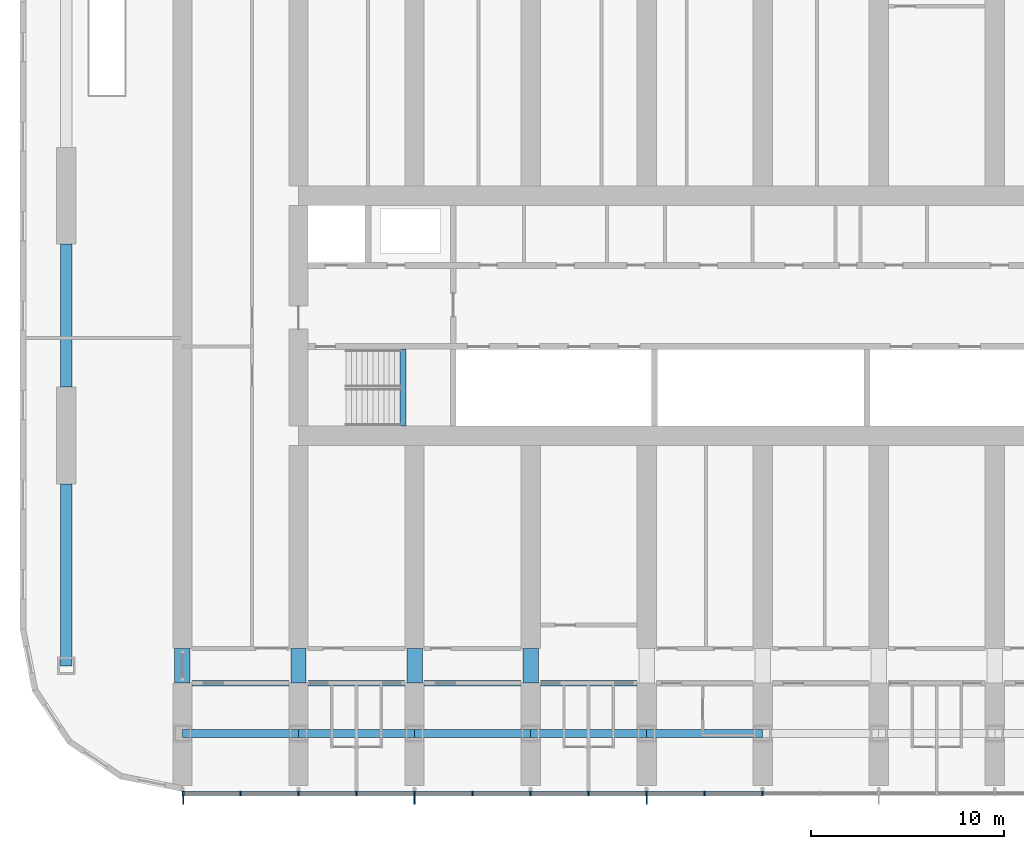
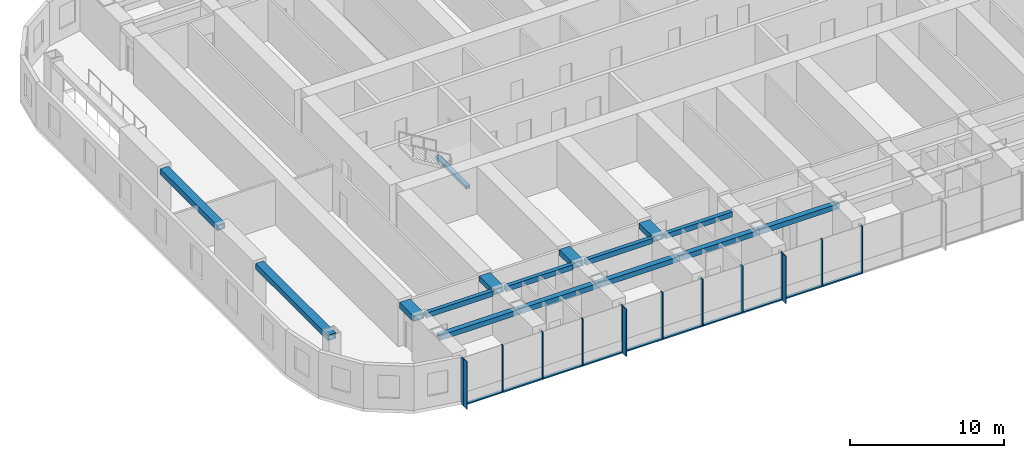
# One storey, part 2 of 22: 24 members, 16 beams, 1 element without a shape of its own.
"""IFC4 building model written with IfcOpenShell, lengths in metres."""

from ifc_helpers import new_model, si_unit, direction, frame, origin, origin_2d, place, context, subcontext, project, spatial, rectangle, hollow_rectangle, extrude, material, material_profile, profile_set, type_object, element, aggregate, save


model = new_model("IFC4")

# Units and contexts
model_context = context("Model", 3, precision=1e-05, world=origin(), true_north=direction((0.0, 1.0)))
body_context = subcontext(model_context, "Body", "Model", "MODEL_VIEW")
ifc_project = project(units=[si_unit("LENGTHUNIT", "METRE"), si_unit("AREAUNIT", "SQUARE_METRE"), si_unit("VOLUMEUNIT", "CUBIC_METRE"), si_unit("PLANEANGLEUNIT", "RADIAN"), si_unit("MASSUNIT", "GRAM", prefix="KILO")], contexts=[model_context])

# Site, building, storey
site_placement = place(None, origin())
site = spatial("IfcSite", under=ifc_project, at=site_placement, CompositionType="ELEMENT")
building_placement = place(site_placement, origin())
building = spatial("IfcBuilding", under=site, at=building_placement, Name="Orbita Commons", CompositionType="ELEMENT")
storey_placement = place(building_placement, frame((0.0, 0.0, 57.699951171875)))
storey = spatial("IfcBuildingStorey", under=building, at=storey_placement, Name="L14", CompositionType="ELEMENT", Elevation=57.699951171875)

# Curtain wall, members
ifc_material_1 = material(Name="Anodised aluminium frame, pale silver", Category="aluminium")
curtain_wall_type = type_object("IfcCurtainWallType", Name="Unitised curtain wall CW-T, vision and spandrel", PredefinedType="NOTDEFINED", material=ifc_material_1)
curtain_wall_placement = place(storey_placement, origin())
curtain_wall = element("IfcCurtainWall", 1, at=curtain_wall_placement, inside=storey, type_object=curtain_wall_type, Name="Curtain wall south L14", PredefinedType="NOTDEFINED")
ifc_material_2 = material(Name="Anodised aluminium, pale silver", Category="aluminium")
ifc_material_profile_1 = material_profile(ifc_material_2, rectangle(XDim=0.080078125, YDim=0.219970703125, at=origin_2d()), Name="AL 80x220")
ifc_profile_set_1 = profile_set([ifc_material_profile_1], Name="Anodised aluminium, pale silver")
member_type_1 = type_object("IfcMemberType", Name="Curtain wall mullion 80x220", PredefinedType="MULLION", material=ifc_profile_set_1)
member_1_placement = place(storey_placement, frame((12.0400390625, 7.2900390625, -0.25), z_axis=(0.0, 0.0, 1.0), x_axis=(1.0, 0.0, 0.0)))
member_1 = element("IfcMember", 2, at=member_1_placement, type_object=member_type_1, Name="Mullion 1 CW-L14-S", PredefinedType="MULLION", context=body_context, shape_type="SweptSolid", body=[
    extrude(rectangle(XDim=0.080078125, YDim=0.219970703125, at=origin_2d()), origin(), (0.0, 0.0, 1.0), 3.75),
])
member_2_placement = place(storey_placement, frame((15.0, 7.2900390625, -0.25), z_axis=(0.0, 0.0, 1.0), x_axis=(1.0, 0.0, 0.0)))
member_2 = element("IfcMember", 3, at=member_2_placement, type_object=member_type_1, Name="Mullion 2 CW-L14-S", PredefinedType="MULLION", context=body_context, shape_type="SweptSolid", body=[
    extrude(rectangle(XDim=0.080078125, YDim=0.219970703125, at=origin_2d()), origin(), (0.0, 0.0, 1.0), 3.75),
])
member_3_placement = place(storey_placement, frame((18.0, 7.2900390625, -0.25), z_axis=(0.0, 0.0, 1.0), x_axis=(1.0, 0.0, 0.0)))
member_3 = element("IfcMember", 4, at=member_3_placement, type_object=member_type_1, Name="Mullion 3 CW-L14-S", PredefinedType="MULLION", context=body_context, shape_type="SweptSolid", body=[
    extrude(rectangle(XDim=0.080078125, YDim=0.219970703125, at=origin_2d()), origin(), (0.0, 0.0, 1.0), 3.75),
])
member_4_placement = place(storey_placement, frame((21.0, 7.2900390625, -0.25), z_axis=(0.0, 0.0, 1.0), x_axis=(1.0, 0.0, 0.0)))
member_4 = element("IfcMember", 5, at=member_4_placement, type_object=member_type_1, Name="Mullion 4 CW-L14-S", PredefinedType="MULLION", context=body_context, shape_type="SweptSolid", body=[
    extrude(rectangle(XDim=0.080078125, YDim=0.219970703125, at=origin_2d()), origin(), (0.0, 0.0, 1.0), 3.75),
])
member_5_placement = place(storey_placement, frame((24.0, 7.2900390625, -0.25), z_axis=(0.0, 0.0, 1.0), x_axis=(1.0, 0.0, 0.0)))
member_5 = element("IfcMember", 6, at=member_5_placement, type_object=member_type_1, Name="Mullion 5 CW-L14-S", PredefinedType="MULLION", context=body_context, shape_type="SweptSolid", body=[
    extrude(rectangle(XDim=0.080078125, YDim=0.219970703125, at=origin_2d()), origin(), (0.0, 0.0, 1.0), 3.75),
])
member_6_placement = place(storey_placement, frame((27.0, 7.2900390625, -0.25), z_axis=(0.0, 0.0, 1.0), x_axis=(1.0, 0.0, 0.0)))
member_6 = element("IfcMember", 7, at=member_6_placement, type_object=member_type_1, Name="Mullion 6 CW-L14-S", PredefinedType="MULLION", context=body_context, shape_type="SweptSolid", body=[
    extrude(rectangle(XDim=0.080078125, YDim=0.219970703125, at=origin_2d()), origin(), (0.0, 0.0, 1.0), 3.75),
])
member_7_placement = place(storey_placement, frame((30.0, 7.2900390625, -0.25), z_axis=(0.0, 0.0, 1.0), x_axis=(1.0, 0.0, 0.0)))
member_7 = element("IfcMember", 8, at=member_7_placement, type_object=member_type_1, Name="Mullion 7 CW-L14-S", PredefinedType="MULLION", context=body_context, shape_type="SweptSolid", body=[
    extrude(rectangle(XDim=0.080078125, YDim=0.219970703125, at=origin_2d()), origin(), (0.0, 0.0, 1.0), 3.75),
])
member_8_placement = place(storey_placement, frame((33.0, 7.2900390625, -0.25), z_axis=(0.0, 0.0, 1.0), x_axis=(1.0, 0.0, 0.0)))
member_8 = element("IfcMember", 9, at=member_8_placement, type_object=member_type_1, Name="Mullion 8 CW-L14-S", PredefinedType="MULLION", context=body_context, shape_type="SweptSolid", body=[
    extrude(rectangle(XDim=0.080078125, YDim=0.219970703125, at=origin_2d()), origin(), (0.0, 0.0, 1.0), 3.75),
])
member_9_placement = place(storey_placement, frame((36.0, 7.2900390625, -0.25), z_axis=(0.0, 0.0, 1.0), x_axis=(1.0, 0.0, 0.0)))
member_9 = element("IfcMember", 10, at=member_9_placement, type_object=member_type_1, Name="Mullion 9 CW-L14-S", PredefinedType="MULLION", context=body_context, shape_type="SweptSolid", body=[
    extrude(rectangle(XDim=0.080078125, YDim=0.219970703125, at=origin_2d()), origin(), (0.0, 0.0, 1.0), 3.75),
])
member_10_placement = place(storey_placement, frame((39.0, 7.2900390625, -0.25), z_axis=(0.0, 0.0, 1.0), x_axis=(1.0, 0.0, 0.0)))
member_10 = element("IfcMember", 11, at=member_10_placement, type_object=member_type_1, Name="Mullion 10 CW-L14-S", PredefinedType="MULLION", context=body_context, shape_type="SweptSolid", body=[
    extrude(rectangle(XDim=0.080078125, YDim=0.219970703125, at=origin_2d()), origin(), (0.0, 0.0, 1.0), 3.75),
])
member_11_placement = place(storey_placement, frame((42.0, 7.2900390625, -0.25), z_axis=(0.0, 0.0, 1.0), x_axis=(1.0, 0.0, 0.0)))
member_11 = element("IfcMember", 12, at=member_11_placement, type_object=member_type_1, Name="Mullion 11 CW-L14-S", PredefinedType="MULLION", context=body_context, shape_type="SweptSolid", body=[
    extrude(rectangle(XDim=0.080078125, YDim=0.219970703125, at=origin_2d()), origin(), (0.0, 0.0, 1.0), 3.75),
])
ifc_material_3 = material(Name="Anodised aluminium, pale silver", Category="aluminium")
ifc_material_profile_2 = material_profile(ifc_material_3, rectangle(XDim=0.219970703125, YDim=0.10009765625, at=origin_2d()), Name="AL 220x100")
ifc_profile_set_2 = profile_set([ifc_material_profile_2], Name="Anodised aluminium, pale silver")
member_type_2 = type_object("IfcMemberType", Name="Curtain wall stack transom 220x100", PredefinedType="USERDEFINED", material=ifc_profile_set_2)
member_12_placement = place(storey_placement, frame((12.080078125, 7.2900390625, -0.199951171875), z_axis=(1.0, 0.0, 0.0), x_axis=(0.0, 1.0, 0.0)))
member_12 = element("IfcMember", 13, at=member_12_placement, type_object=member_type_2, Name="Transom 1.1 CW-L14-S", ObjectType="TRANSOM", PredefinedType="USERDEFINED", context=body_context, shape_type="SweptSolid", body=[
    extrude(rectangle(XDim=0.219970703125, YDim=0.10009765625, at=origin_2d()), origin(), (0.0, 0.0, 1.0), 2.8798828125),
])
member_13_placement = place(storey_placement, frame((15.0400390625, 7.2900390625, -0.199951171875), z_axis=(1.0, 0.0, 0.0), x_axis=(0.0, 1.0, 0.0)))
member_13 = element("IfcMember", 14, at=member_13_placement, type_object=member_type_2, Name="Transom 2.1 CW-L14-S", ObjectType="TRANSOM", PredefinedType="USERDEFINED", context=body_context, shape_type="SweptSolid", body=[
    extrude(rectangle(XDim=0.219970703125, YDim=0.10009765625, at=origin_2d()), origin(), (0.0, 0.0, 1.0), 2.919921875),
])
member_14_placement = place(storey_placement, frame((18.0400390625, 7.2900390625, -0.199951171875), z_axis=(1.0, 0.0, 0.0), x_axis=(0.0, 1.0, 0.0)))
member_14 = element("IfcMember", 15, at=member_14_placement, type_object=member_type_2, Name="Transom 3.1 CW-L14-S", ObjectType="TRANSOM", PredefinedType="USERDEFINED", context=body_context, shape_type="SweptSolid", body=[
    extrude(rectangle(XDim=0.219970703125, YDim=0.10009765625, at=origin_2d()), origin(), (0.0, 0.0, 1.0), 2.919921875),
])
member_15_placement = place(storey_placement, frame((21.0400390625, 7.2900390625, -0.199951171875), z_axis=(1.0, 0.0, 0.0), x_axis=(0.0, 1.0, 0.0)))
member_15 = element("IfcMember", 16, at=member_15_placement, type_object=member_type_2, Name="Transom 4.1 CW-L14-S", ObjectType="TRANSOM", PredefinedType="USERDEFINED", context=body_context, shape_type="SweptSolid", body=[
    extrude(rectangle(XDim=0.219970703125, YDim=0.10009765625, at=origin_2d()), origin(), (0.0, 0.0, 1.0), 2.919921875),
])
member_16_placement = place(storey_placement, frame((24.0400390625, 7.2900390625, -0.199951171875), z_axis=(1.0, 0.0, 0.0), x_axis=(0.0, 1.0, 0.0)))
member_16 = element("IfcMember", 17, at=member_16_placement, type_object=member_type_2, Name="Transom 5.1 CW-L14-S", ObjectType="TRANSOM", PredefinedType="USERDEFINED", context=body_context, shape_type="SweptSolid", body=[
    extrude(rectangle(XDim=0.219970703125, YDim=0.10009765625, at=origin_2d()), origin(), (0.0, 0.0, 1.0), 2.919921875),
])
member_17_placement = place(storey_placement, frame((27.0400390625, 7.2900390625, -0.199951171875), z_axis=(1.0, 0.0, 0.0), x_axis=(0.0, 1.0, 0.0)))
member_17 = element("IfcMember", 18, at=member_17_placement, type_object=member_type_2, Name="Transom 6.1 CW-L14-S", ObjectType="TRANSOM", PredefinedType="USERDEFINED", context=body_context, shape_type="SweptSolid", body=[
    extrude(rectangle(XDim=0.219970703125, YDim=0.10009765625, at=origin_2d()), origin(), (0.0, 0.0, 1.0), 2.919921875),
])
member_18_placement = place(storey_placement, frame((30.0400390625, 7.2900390625, -0.199951171875), z_axis=(1.0, 0.0, 0.0), x_axis=(0.0, 1.0, 0.0)))
member_18 = element("IfcMember", 19, at=member_18_placement, type_object=member_type_2, Name="Transom 7.1 CW-L14-S", ObjectType="TRANSOM", PredefinedType="USERDEFINED", context=body_context, shape_type="SweptSolid", body=[
    extrude(rectangle(XDim=0.219970703125, YDim=0.10009765625, at=origin_2d()), origin(), (0.0, 0.0, 1.0), 2.919921875),
])
member_19_placement = place(storey_placement, frame((33.0400390625, 7.2900390625, -0.199951171875), z_axis=(1.0, 0.0, 0.0), x_axis=(0.0, 1.0, 0.0)))
member_19 = element("IfcMember", 20, at=member_19_placement, type_object=member_type_2, Name="Transom 8.1 CW-L14-S", ObjectType="TRANSOM", PredefinedType="USERDEFINED", context=body_context, shape_type="SweptSolid", body=[
    extrude(rectangle(XDim=0.219970703125, YDim=0.10009765625, at=origin_2d()), origin(), (0.0, 0.0, 1.0), 2.919921875),
])
member_20_placement = place(storey_placement, frame((36.0400390625, 7.2900390625, -0.199951171875), z_axis=(1.0, 0.0, 0.0), x_axis=(0.0, 1.0, 0.0)))
member_20 = element("IfcMember", 21, at=member_20_placement, type_object=member_type_2, Name="Transom 9.1 CW-L14-S", ObjectType="TRANSOM", PredefinedType="USERDEFINED", context=body_context, shape_type="SweptSolid", body=[
    extrude(rectangle(XDim=0.219970703125, YDim=0.10009765625, at=origin_2d()), origin(), (0.0, 0.0, 1.0), 2.919921875),
])
member_21_placement = place(storey_placement, frame((39.0400390625, 7.2900390625, -0.199951171875), z_axis=(1.0, 0.0, 0.0), x_axis=(0.0, 1.0, 0.0)))
member_21 = element("IfcMember", 22, at=member_21_placement, type_object=member_type_2, Name="Transom 10.1 CW-L14-S", ObjectType="TRANSOM", PredefinedType="USERDEFINED", context=body_context, shape_type="SweptSolid", body=[
    extrude(rectangle(XDim=0.219970703125, YDim=0.10009765625, at=origin_2d()), origin(), (0.0, 0.0, 1.0), 2.919921875),
])

# Beams
ifc_material_4 = material(Name="Steel ASTM A572 Gr 50 welded plate", Category="steel")
ifc_material_profile_3 = material_profile(ifc_material_4, hollow_rectangle(XDim=0.300048828125, YDim=0.25, WallThickness=0.02490234375, at=origin_2d()), Name="BOX 250x300x25")
ifc_profile_set_3 = profile_set([ifc_material_profile_3], Name="Steel ASTM A572 Gr 50 welded plate")
beam_type_1 = type_object("IfcBeamType", Name="Stair landing beam steel BOX 250x300x25", PredefinedType="BEAM", material=ifc_profile_set_3)
beam_1_placement = place(storey_placement, frame((23.39990234375, 26.284912109375, 1.550048828125), z_axis=(0.0, 1.0, 0.0), x_axis=(-1.0, 0.0, 0.0)))
element("IfcBeam", 23, at=beam_1_placement, inside=storey, type_object=beam_type_1, Name="Stair S1 landing beam L14 1", PredefinedType="BEAM", context=body_context, shape_type="SweptSolid", body=[
    extrude(hollow_rectangle(XDim=0.300048828125, YDim=0.25, WallThickness=0.02490234375, at=origin_2d()), origin(), (0.0, 0.0, 1.0), 3.97998046875),
])
ifc_material_5 = material(Name="Steel ASTM A572 Gr 50 welded plate", Category="steel")
ifc_material_profile_4 = material_profile(ifc_material_5, hollow_rectangle(XDim=0.300048828125, YDim=0.39990234375, WallThickness=0.0400390625, at=origin_2d()), Name="BOX 400x300x40")
ifc_profile_set_4 = profile_set([ifc_material_profile_4], Name="Steel ASTM A572 Gr 50 welded plate")
beam_type_2 = type_object("IfcBeamType", Name="Steel corridor link BOX 400x300x40", PredefinedType="BEAM", material=ifc_profile_set_4)
for number, where, z_axis, x_axis, name in (
    (24, (12.5, 13.0, 3.300048828125), (1.0, 0.0, 0.0), (0.0, 1.0, 0.0), "Corridor beam SA 3-4 L14"),
    (25, (18.5, 13.0, 3.300048828125), (1.0, 0.0, 0.0), (0.0, 1.0, 0.0), "Corridor beam SA 4-5 L14"),
    (26, (24.5, 13.0, 3.300048828125), (1.0, 0.0, 0.0), (0.0, 1.0, 0.0), "Corridor beam SA 5-6 L14"),
    (27, (30.5, 13.0, 3.300048828125), (1.0, 0.0, 0.0), (0.0, 1.0, 0.0), "Corridor beam SA 6-7 L14"),
):
    element("IfcBeam", number, at=place(storey_placement, frame(where, z_axis=z_axis, x_axis=x_axis)), inside=storey, type_object=beam_type_2, Name=name, PredefinedType="BEAM", context=body_context, shape_type="SweptSolid", body=[
        extrude(hollow_rectangle(XDim=0.300048828125, YDim=0.39990234375, WallThickness=0.0400390625, at=origin_2d()), origin(), (0.0, 0.0, 1.0), 5.0),
    ])
ifc_material_6 = material(Name="Steel ASTM A572 Gr 50 welded plate", Category="steel")
ifc_material_profile_5 = material_profile(ifc_material_6, hollow_rectangle(XDim=0.800048828125, YDim=0.449951171875, WallThickness=0.06005859375, at=origin_2d()), Name="BOX 450x800x60")
ifc_profile_set_5 = profile_set([ifc_material_profile_5], Name="Steel ASTM A572 Gr 50 welded plate")
beam_type_3 = type_object("IfcBeamType", Name="Steel coupling link BOX 450x800x60", PredefinedType="LINTEL", material=ifc_profile_set_5)
for number, where, z_axis, x_axis, name in (
    (28, (12.0, 13.0, 3.275146484375), (0.0, 1.0, 0.0), (-1.0, 0.0, 0.0), "Coupling beam 3 south L14"),
    (29, (18.0, 13.0, 3.275146484375), (0.0, 1.0, 0.0), (-1.0, 0.0, 0.0), "Coupling beam 4 south L14"),
    (30, (24.0, 13.0, 3.275146484375), (0.0, 1.0, 0.0), (-1.0, 0.0, 0.0), "Coupling beam 5 south L14"),
    (31, (30.0, 13.0, 3.275146484375), (0.0, 1.0, 0.0), (-1.0, 0.0, 0.0), "Coupling beam 6 south L14"),
):
    element("IfcBeam", number, at=place(storey_placement, frame(where, z_axis=z_axis, x_axis=x_axis)), inside=storey, type_object=beam_type_3, Name=name, PredefinedType="LINTEL", context=body_context, shape_type="SweptSolid", body=[
        extrude(hollow_rectangle(XDim=0.800048828125, YDim=0.449951171875, WallThickness=0.06005859375, at=origin_2d()), origin(), (0.0, 0.0, 1.0), 1.800048828125),
    ])
ifc_material_7 = material(Name="Steel ASTM A572 Gr 50 welded plate", Category="steel")
ifc_material_profile_6 = material_profile(ifc_material_7, hollow_rectangle(XDim=0.60009765625, YDim=0.449951171875, WallThickness=0.06005859375, at=origin_2d()), Name="BOX 450x600x60")
ifc_profile_set_6 = profile_set([ifc_material_profile_6], Name="Steel ASTM A572 Gr 50 welded plate")
beam_type_4 = type_object("IfcBeamType", Name="Steel end frame link BOX 450x600x60", PredefinedType="BEAM", material=ifc_profile_set_6)
beam_2_placement = place(storey_placement, frame((6.0, 13.89990234375, 3.275146484375), z_axis=(0.0, 1.0, 0.0), x_axis=(-1.0, 0.0, 0.0)))
element("IfcBeam", 32, at=beam_2_placement, inside=storey, type_object=beam_type_4, Name="End frame beam 2 B-C L14", PredefinedType="BEAM", context=body_context, shape_type="SweptSolid", body=[
    extrude(hollow_rectangle(XDim=0.60009765625, YDim=0.449951171875, WallThickness=0.06005859375, at=origin_2d()), origin(), (0.0, 0.0, 1.0), 9.400146484375),
])
beam_3_placement = place(storey_placement, frame((6.0, 28.300048828125, 3.275146484375), z_axis=(0.0, 1.0, 0.0), x_axis=(-1.0, 0.0, 0.0)))
element("IfcBeam", 33, at=beam_3_placement, inside=storey, type_object=beam_type_4, Name="End frame beam 2 C-D L14", PredefinedType="BEAM", context=body_context, shape_type="SweptSolid", body=[
    extrude(hollow_rectangle(XDim=0.60009765625, YDim=0.449951171875, WallThickness=0.06005859375, at=origin_2d()), origin(), (0.0, 0.0, 1.0), 7.39990234375),
])
ifc_material_8 = material(Name="Steel ASTM A572 Gr 50 welded plate", Category="steel")
ifc_material_profile_7 = material_profile(ifc_material_8, hollow_rectangle(XDim=0.39990234375, YDim=0.39990234375, WallThickness=0.0400390625, at=origin_2d()), Name="BOX 400x400x40")
ifc_profile_set_7 = profile_set([ifc_material_profile_7], Name="Steel ASTM A572 Gr 50 welded plate")
beam_type_5 = type_object("IfcBeamType", Name="Steel spandrel BOX 400x400x40", PredefinedType="SPANDREL", material=ifc_profile_set_7)
for number, where, z_axis, x_axis, name in (
    (34, (12.0, 10.39990234375, 3.300048828125), (1.0, 0.0, 0.0), (0.0, 1.0, 0.0), "Spandrel beam B 3-4 L14"),
    (35, (18.0, 10.39990234375, 3.300048828125), (1.0, 0.0, 0.0), (0.0, 1.0, 0.0), "Spandrel beam B 4-5 L14"),
    (36, (24.0, 10.39990234375, 3.300048828125), (1.0, 0.0, 0.0), (0.0, 1.0, 0.0), "Spandrel beam B 5-6 L14"),
    (37, (30.0, 10.39990234375, 3.300048828125), (1.0, 0.0, 0.0), (0.0, 1.0, 0.0), "Spandrel beam B 6-7 L14"),
    (38, (36.0, 10.39990234375, 3.300048828125), (1.0, 0.0, 0.0), (0.0, 1.0, 0.0), "Spandrel beam B 7-8 L14"),
):
    element("IfcBeam", number, at=place(storey_placement, frame(where, z_axis=z_axis, x_axis=x_axis)), inside=storey, type_object=beam_type_5, Name=name, PredefinedType="SPANDREL", context=body_context, shape_type="SweptSolid", body=[
        extrude(hollow_rectangle(XDim=0.39990234375, YDim=0.39990234375, WallThickness=0.0400390625, at=origin_2d()), origin(), (0.0, 0.0, 1.0), 6.0),
    ])

# Member
ifc_material_9 = material(Name="Anodised aluminium, pale silver", Category="aluminium")
ifc_material_profile_8 = material_profile(ifc_material_9, rectangle(XDim=0.06005859375, YDim=0.449951171875, at=origin_2d()), Name="FIN 60x450")
ifc_profile_set_8 = profile_set([ifc_material_profile_8], Name="Anodised aluminium, pale silver")
member_type_3 = type_object("IfcMemberType", Name="Vertical fin 60x450 pale aluminium", PredefinedType="USERDEFINED", material=ifc_profile_set_8)
member_22_placement = place(storey_placement, frame((12.0400390625, 6.955078125, -0.25), z_axis=(0.0, 0.0, 1.0), x_axis=(1.0, 0.0, 0.0)))
member_22 = element("IfcMember", 39, at=member_22_placement, type_object=member_type_3, Name="Fin 1 CW-L14-S", ObjectType="FIN", PredefinedType="USERDEFINED", context=body_context, shape_type="SweptSolid", body=[
    extrude(rectangle(XDim=0.06005859375, YDim=0.449951171875, at=origin_2d()), origin(), (0.0, 0.0, 1.0), 3.75),
])

member_23_placement = place(storey_placement, frame((24.0, 6.955078125, -0.25), z_axis=(0.0, 0.0, 1.0), x_axis=(1.0, 0.0, 0.0)))
member_23 = element("IfcMember", 40, at=member_23_placement, type_object=member_type_3, Name="Fin 5 CW-L14-S", ObjectType="FIN", PredefinedType="USERDEFINED", context=body_context, shape_type="SweptSolid", body=[
    extrude(rectangle(XDim=0.06005859375, YDim=0.449951171875, at=origin_2d()), origin(), (0.0, 0.0, 1.0), 3.75),
])

member_24_placement = place(storey_placement, frame((36.0, 6.955078125, -0.25), z_axis=(0.0, 0.0, 1.0), x_axis=(1.0, 0.0, 0.0)))
member_24 = element("IfcMember", 41, at=member_24_placement, type_object=member_type_3, Name="Fin 9 CW-L14-S", ObjectType="FIN", PredefinedType="USERDEFINED", context=body_context, shape_type="SweptSolid", body=[
    extrude(rectangle(XDim=0.06005859375, YDim=0.449951171875, at=origin_2d()), origin(), (0.0, 0.0, 1.0), 3.75),
])

aggregate(curtain_wall, [member_1, member_22, member_2, member_3, member_4, member_5, member_23, member_6, member_7, member_8, member_9, member_24, member_10, member_11, member_12, member_13, member_14, member_15, member_16, member_17, member_18, member_19, member_20, member_21])

save(model, "model.ifc")
